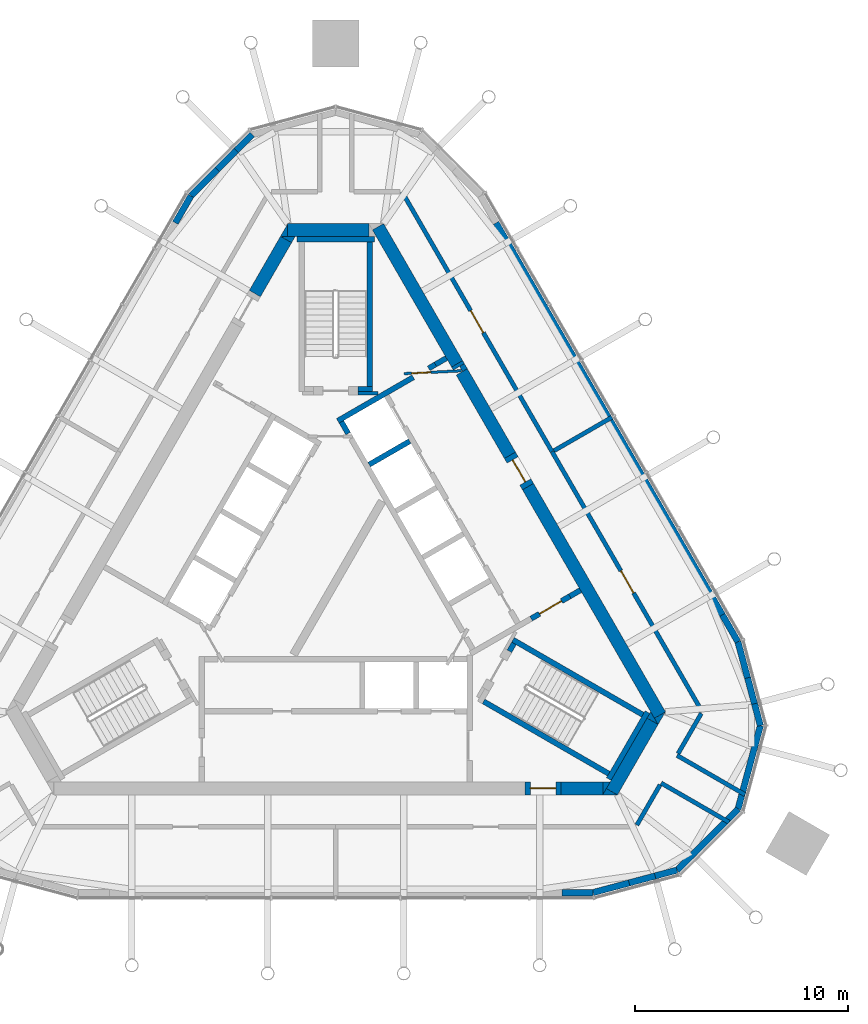
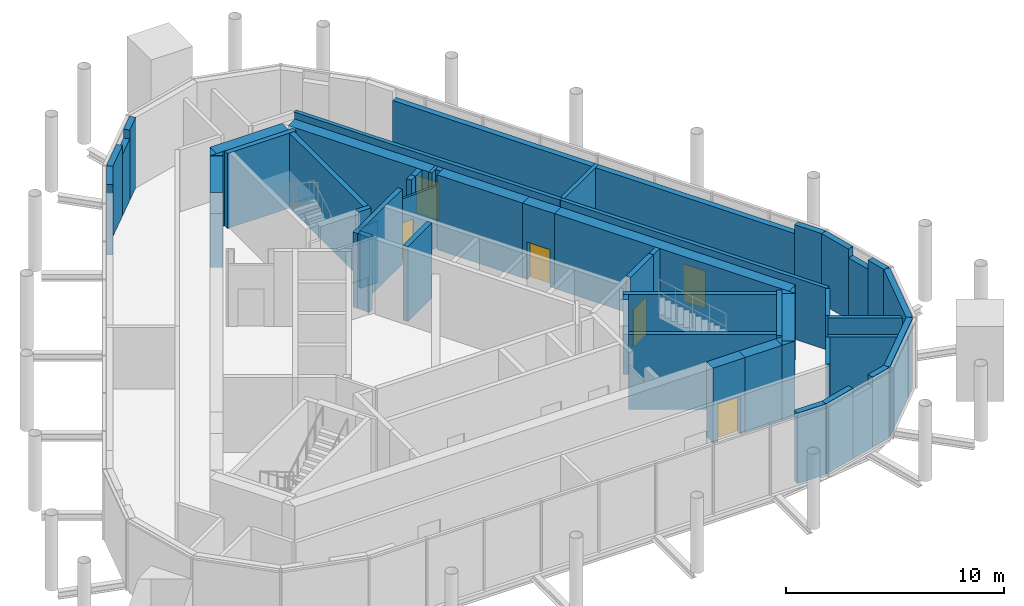
# One storey, part 9 of 11: 55 walls, 6 doors, 6 openings.
"""IFC4 building model written with IfcOpenShell, lengths in metres."""

from ifc_helpers import new_model, si_unit, direction, frame, frame_2d, origin, place, context, subcontext, project, spatial, polyline, rectangle, outline, extrude, material, layer, layer_set, type_object, element, fill, save


model = new_model("IFC4")

# Units and contexts
model_context = context("Model", 3, precision=1e-05, world=origin(), true_north=direction((0.0, 1.0)))
body_context = subcontext(model_context, "Body", "Model", "MODEL_VIEW")
ifc_project = project(units=[si_unit("LENGTHUNIT", "METRE"), si_unit("AREAUNIT", "SQUARE_METRE"), si_unit("VOLUMEUNIT", "CUBIC_METRE"), si_unit("PLANEANGLEUNIT", "RADIAN"), si_unit("MASSUNIT", "GRAM", prefix="KILO")], contexts=[model_context])

# Site, building, storey
site_placement = place(None, origin())
site = spatial("IfcSite", under=ifc_project, at=site_placement, CompositionType="ELEMENT")
building_placement = place(site_placement, origin())
building = spatial("IfcBuilding", under=site, at=building_placement, Name="Mestral Congress Tower", CompositionType="ELEMENT")
storey_placement = place(building_placement, frame((0.0, 0.0, 336.0)))
storey = spatial("IfcBuildingStorey", under=building, at=storey_placement, Name="L78", CompositionType="ELEMENT", Elevation=336.0)

# Wall
ifc_material_1 = material(Name="Fire-rated board partition")
ifc_layer_1 = layer(ifc_material_1, 0.14990234375)
ifc_layer_set_1 = layer_set([ifc_layer_1], Name="Fire-rated board partition")
wall_type_1 = type_object("IfcWallType", Name="Core partition 150", PredefinedType="PARTITIONING", material=ifc_layer_set_1)
wall_1_placement = place(storey_placement, frame((1.050048828125, 8.62548828125, 0.0), z_axis=(0.0, 0.0, 1.0), x_axis=(1.0, 0.0, 0.0)))
element("IfcWall", 1, at=wall_1_placement, inside=storey, type_object=wall_type_1, Name="L78 core wall", PredefinedType="PARTITIONING", context=body_context, shape_type="SweptSolid", body=[
    extrude(rectangle(XDim=0.9287109375, YDim=0.14990234375, at=frame_2d((0.46435546875, 0.0))), origin(), (0.0, 0.0, 1.0), 3.449951171875),
])

# Wall, opening, door
ifc_layer_2 = layer(ifc_material_1, 0.1201171875)
ifc_layer_set_2 = layer_set([ifc_layer_2], Name="Fire-rated board partition")
wall_type_2 = type_object("IfcWallType", Name="Core partition 150 door-wall 120", PredefinedType="PARTITIONING", material=ifc_layer_set_2)
wall_2_placement = place(storey_placement, frame((5.917236328125, 9.684326171875, 0.0), z_axis=(0.0, 0.0, 1.0), x_axis=(-0.998758194515, -0.049820366212, 0.0)))
wall_2 = element("IfcWall", 2, at=wall_2_placement, inside=storey, type_object=wall_type_2, Name="L78 door wall", PredefinedType="PARTITIONING", context=body_context, shape_type="SweptSolid", body=[
    extrude(rectangle(XDim=2.7001953125, YDim=0.119873046875, at=frame_2d((1.35009765625, 0.0))), origin(), (0.0, 0.0, 1.0), 3.449951171875),
])
opening_1_placement = place(wall_2_placement, frame((1.449951171875, 0.0, 0.0)))
opening_1 = element("IfcOpeningElement", 3, at=opening_1_placement, cuts=wall_2, Name="Opening TD2", PredefinedType="OPENING", context=body_context, shape_type="SweptSolid", body=[
    extrude(rectangle(XDim=0.89990234375, YDim=2.10009765625, at=frame_2d((0.449951171875, 1.050048828125))), frame((0.0, 0.06982421875, 0.0), z_axis=(0.0, -1.0, 0.0), x_axis=(1.0, 0.0, 0.0)), (0.0, 0.0, 1.0), 0.139892578125),
])
ifc_material_2 = material(Name="Fire-rated steel door set", Category="steel")
door_type_1 = type_object("IfcDoorType", Name="Core door SR 900x2100", OperationType="SINGLE_SWING_LEFT", PredefinedType="DOOR", material=ifc_material_2)
door_1_placement = place(opening_1_placement, origin())
door_1 = element("IfcDoor", 4, at=door_1_placement, inside=storey, type_object=door_type_1, Name="Door TD2", OperationType="SINGLE_SWING_LEFT", OverallHeight=2.10009765625, OverallWidth=0.89990234375, PredefinedType="DOOR", context=body_context, shape_type="SweptSolid", body=[
    extrude(rectangle(XDim=0.89990234375, YDim=2.10009765625, at=frame_2d((0.449951171875, 1.050048828125))), frame((0.0, 0.02490234375, 0.0), z_axis=(0.0, -1.0, 0.0), x_axis=(1.0, 0.0, 0.0)), (0.0, 0.0, 1.0), 0.050048828125),
])
fill(opening_1, door_1)

# Walls
ifc_material_3 = material(Name="Concrete C60/75", Category="concrete")
ifc_layer_3 = layer(ifc_material_3, 0.60009765625)
ifc_layer_set_3 = layer_set([ifc_layer_3], Name="Concrete C60/75")
wall_type_3 = type_object("IfcWallType", Name="Core wall RC 600", PredefinedType="SOLIDWALL", material=ifc_layer_set_3)
wall_3_placement = place(storey_placement, frame((9.0419921875, 4.23876953125, 0.0), z_axis=(0.0, 0.0, 1.0), x_axis=(0.500005785455, -0.866022063525, 0.0)))
element("IfcWall", 5, at=wall_3_placement, inside=storey, type_object=wall_type_3, Name="L78 core wall", PredefinedType="SOLIDWALL", context=body_context, shape_type="SweptSolid", body=[
    extrude(rectangle(XDim=12.406494140625, YDim=0.60009765625, at=frame_2d((6.203125, 0.0))), origin(), (0.0, 0.0, 1.0), 4.199951171875),
])
placement = place(storey_placement, origin())
element("IfcWall", 6, at=placement, inside=storey, type_object=wall_type_3, Name="L78 core wall", PredefinedType="SOLIDWALL", context=body_context, shape_type="SweptSolid", body=[
    extrude(outline(polyline([(15.155517578125, -6.949951171875), (14.986572265625, -6.6572265625), (15.493408203125, -6.364501953125), (15.155517578125, -6.949951171875)])), origin(), (0.0, 0.0, 1.0), 4.199951171875),
])
wall_5_placement = place(storey_placement, frame((12.9873046875, -10.105712890625, 0.0), z_axis=(0.0, 0.0, 1.0), x_axis=(0.499950938802, 0.866053727428, 0.0)))
element("IfcWall", 7, at=wall_5_placement, inside=storey, type_object=wall_type_3, Name="L78 core wall", PredefinedType="SOLIDWALL", context=body_context, shape_type="SweptSolid", body=[
    extrude(rectangle(XDim=3.8232421875, YDim=0.60009765625, at=frame_2d((1.91162109375, 0.0))), origin(), (0.0, 0.0, 1.0), 4.199951171875),
])
element("IfcWall", 8, at=placement, inside=storey, type_object=wall_type_3, Name="L78 core wall", PredefinedType="SOLIDWALL", context=body_context, shape_type="SweptSolid", body=[
    extrude(outline(polyline([(12.726318359375, -9.957275390625), (13.2333984375, -10.25), (12.557373046875, -10.25), (12.726318359375, -9.957275390625)])), origin(), (0.0, 0.0, 1.0), 4.199951171875),
])
element("IfcWall", 9, at=placement, inside=storey, type_object=wall_type_3, Name="L78 core wall", PredefinedType="SOLIDWALL", context=body_context, shape_type="SweptSolid", body=[
    extrude(outline(polyline([(14.80908203125, -6.35009765625), (15.147216796875, -6.935791015625), (14.639892578125, -6.642822265625), (14.80908203125, -6.35009765625)])), origin(), (0.0, 0.0, 1.0), 4.199951171875),
])
wall_8_placement = place(storey_placement, frame((10.6044921875, -9.949951171875, 0.0), z_axis=(0.0, 0.0, 1.0), x_axis=(1.0, 0.0, 0.0)))
element("IfcWall", 10, at=wall_8_placement, inside=storey, type_object=wall_type_3, Name="L78 core wall", PredefinedType="SOLIDWALL", context=body_context, shape_type="SweptSolid", body=[
    extrude(rectangle(XDim=1.959228515625, YDim=0.60009765625, at=frame_2d((0.9794921875, 0.0))), origin(), (0.0, 0.0, 1.0), 4.199951171875),
])
element("IfcWall", 11, at=placement, inside=storey, type_object=wall_type_3, Name="L78 core wall", PredefinedType="SOLIDWALL", context=body_context, shape_type="SweptSolid", body=[
    extrude(outline(polyline([(12.90380859375, -9.64990234375), (12.56591796875, -10.235595703125), (12.56591796875, -9.64990234375), (12.90380859375, -9.64990234375)])), origin(), (0.0, 0.0, 1.0), 4.199951171875),
])
wall_10_placement = place(storey_placement, frame((5.708740234375, 10.01220703125, 0.0), z_axis=(0.0, 0.0, 1.0), x_axis=(0.500399834964, -0.865794435861, 0.0)))
element("IfcWall", 12, at=wall_10_placement, inside=storey, type_object=wall_type_3, Name="L78 core wall", PredefinedType="SOLIDWALL", context=body_context, shape_type="SweptSolid", body=[
    extrude(rectangle(XDim=0.166259765625, YDim=0.60009765625, at=frame_2d((0.0830078125, 0.0))), origin(), (0.0, 0.0, 1.0), 4.199951171875),
])
wall_11_placement = place(storey_placement, frame((5.927978515625, 9.632568359375, 0.0), z_axis=(0.0, 0.0, 1.0), x_axis=(0.499983823482, -0.8660347431, 0.0)))
element("IfcWall", 13, at=wall_11_placement, inside=storey, type_object=wall_type_3, Name="L78 core wall", PredefinedType="SOLIDWALL", context=body_context, shape_type="SweptSolid", body=[
    extrude(rectangle(XDim=4.528076171875, YDim=0.60009765625, at=frame_2d((2.26416015625, 0.0))), origin(), (0.0, 0.0, 1.0), 4.199951171875),
])
element("IfcWall", 14, at=placement, inside=storey, type_object=wall_type_3, Name="L78 core wall", PredefinedType="SOLIDWALL", context=body_context, shape_type="SweptSolid", body=[
    extrude(outline(polyline([(6.052734375, 10.016357421875), (6.186767578125, 9.7841796875), (5.961181640625, 9.654052734375), (5.8271484375, 9.88623046875), (6.052734375, 10.016357421875)])), origin(), (0.0, 0.0, 1.0), 4.199951171875),
])
wall_13_placement = place(storey_placement, frame((1.98876953125, 16.45556640625, 0.0), z_axis=(0.0, 0.0, 1.0), x_axis=(0.499990476767, -0.866030901956, 0.0)))
element("IfcWall", 15, at=wall_13_placement, inside=storey, type_object=wall_type_3, Name="L78 core wall", PredefinedType="SOLIDWALL", context=body_context, shape_type="SweptSolid", body=[
    extrude(rectangle(XDim=7.438232421875, YDim=0.60009765625, at=frame_2d((3.71923828125, 0.0))), origin(), (0.0, 0.0, 1.0), 4.199951171875),
])
wall_14_placement = place(storey_placement, frame((-2.258056640625, 16.300048828125, 0.0), z_axis=(0.0, 0.0, 1.0), x_axis=(1.0, 0.0, 0.0)))
element("IfcWall", 16, at=wall_14_placement, inside=storey, type_object=wall_type_3, Name="L78 core wall", PredefinedType="SOLIDWALL", context=body_context, shape_type="SweptSolid", body=[
    extrude(rectangle(XDim=3.8232421875, YDim=0.60009765625, at=frame_2d((1.91162109375, 0.0))), origin(), (0.0, 0.0, 1.0), 4.199951171875),
])
element("IfcWall", 17, at=placement, inside=storey, type_object=wall_type_3, Name="L78 core wall", PredefinedType="SOLIDWALL", context=body_context, shape_type="SweptSolid", body=[
    extrude(outline(polyline([(-2.59814453125, 16.0), (-2.260009765625, 16.58544921875), (-2.260009765625, 16.0), (-2.59814453125, 16.0)])), origin(), (0.0, 0.0, 1.0), 4.199951171875),
])
wall_16_placement = place(storey_placement, frame((-2.335205078125, 15.85546875, 0.0), z_axis=(0.0, 0.0, 1.0), x_axis=(-0.499960127962, -0.866048422692, 0.0)))
element("IfcWall", 18, at=wall_16_placement, inside=storey, type_object=wall_type_3, Name="L78 core wall", PredefinedType="SOLIDWALL", context=body_context, shape_type="SweptSolid", body=[
    extrude(rectangle(XDim=2.934326171875, YDim=0.60009765625, at=frame_2d((1.46728515625, 0.0))), origin(), (0.0, 0.0, 1.0), 4.199951171875),
])
element("IfcWall", 19, at=placement, inside=storey, type_object=wall_type_3, Name="L78 core wall", PredefinedType="SOLIDWALL", context=body_context, shape_type="SweptSolid", body=[
    extrude(outline(polyline([(-1.9052734375, 16.0), (-2.07421875, 15.707275390625), (-2.581298828125, 16.0), (-1.9052734375, 16.0)])), origin(), (0.0, 0.0, 1.0), 4.199951171875),
])

# Wall, opening, door
wall_18_placement = place(storey_placement, frame((10.6044921875, -9.949951171875, 0.0), z_axis=(0.0, 0.0, 1.0), x_axis=(-1.0, 0.0, 0.0)))
wall_18 = element("IfcWall", 20, at=wall_18_placement, inside=storey, type_object=wall_type_3, Name="L78 door wall", PredefinedType="SOLIDWALL", context=body_context, shape_type="SweptSolid", body=[
    extrude(rectangle(XDim=1.699951171875, YDim=0.60009765625, at=frame_2d((0.85009765625, 0.0))), origin(), (0.0, 0.0, 1.0), 4.199951171875),
])
opening_2_placement = place(wall_18_placement, frame((0.25, 0.0, 0.0)))
opening_2 = element("IfcOpeningElement", 21, at=opening_2_placement, cuts=wall_18, Name="Opening XD1", PredefinedType="OPENING", context=body_context, shape_type="SweptSolid", body=[
    extrude(rectangle(XDim=1.199951171875, YDim=2.10009765625, at=frame_2d((0.60009765625, 1.050048828125))), frame((0.0, 0.31005859375, 0.0), z_axis=(0.0, -1.0, 0.0), x_axis=(1.0, 0.0, 0.0)), (0.0, 0.0, 1.0), 0.6201171875),
])
door_type_2 = type_object("IfcDoorType", Name="Core door XD 1200x2100", OperationType="SINGLE_SWING_LEFT", PredefinedType="DOOR", material=ifc_material_2)
door_2_placement = place(opening_2_placement, origin())
door_2 = element("IfcDoor", 22, at=door_2_placement, inside=storey, type_object=door_type_2, Name="Door XD1", OperationType="SINGLE_SWING_LEFT", OverallHeight=2.10009765625, OverallWidth=1.199951171875, PredefinedType="DOOR", context=body_context, shape_type="SweptSolid", body=[
    extrude(rectangle(XDim=1.199951171875, YDim=2.10009765625, at=frame_2d((0.60009765625, 1.050048828125))), frame((0.0, 0.02490234375, 0.0), z_axis=(0.0, -1.0, 0.0), x_axis=(1.0, 0.0, 0.0)), (0.0, 0.0, 1.0), 0.050048828125),
])
fill(opening_2, door_2)

wall_19_placement = place(storey_placement, frame((8.19189453125, 5.711181640625, 0.0), z_axis=(0.0, 0.0, 1.0), x_axis=(0.500062241894, -0.865989465428, 0.0)))
wall_19 = element("IfcWall", 23, at=wall_19_placement, inside=storey, type_object=wall_type_3, Name="L78 door wall", PredefinedType="SOLIDWALL", context=body_context, shape_type="SweptSolid", body=[
    extrude(rectangle(XDim=1.699951171875, YDim=0.60009765625, at=frame_2d((0.85009765625, 0.0))), origin(), (0.0, 0.0, 1.0), 4.199951171875),
])
opening_3_placement = place(wall_19_placement, frame((0.25, 0.0, 0.0)))
opening_3 = element("IfcOpeningElement", 24, at=opening_3_placement, cuts=wall_19, Name="Opening XDL", PredefinedType="OPENING", context=body_context, shape_type="SweptSolid", body=[
    extrude(rectangle(XDim=1.199951171875, YDim=2.10009765625, at=frame_2d((0.60009765625, 1.050048828125))), frame((0.0, 0.31005859375, 0.0), z_axis=(0.0, -1.0, 0.0), x_axis=(1.0, 0.0, 0.0)), (0.0, 0.0, 1.0), 0.6201171875),
])
door_3_placement = place(opening_3_placement, origin())
door_3 = element("IfcDoor", 25, at=door_3_placement, inside=storey, type_object=door_type_2, Name="Door XDL", OperationType="SINGLE_SWING_LEFT", OverallHeight=2.10009765625, OverallWidth=1.199951171875, PredefinedType="DOOR", context=body_context, shape_type="SweptSolid", body=[
    extrude(rectangle(XDim=1.199951171875, YDim=2.10009765625, at=frame_2d((0.60009765625, 1.050048828125))), frame((0.0, 0.02490234375, 0.0), z_axis=(0.0, -1.0, 0.0), x_axis=(1.0, 0.0, 0.0)), (0.0, 0.0, 1.0), 0.050048828125),
])
fill(opening_3, door_3)

# Walls
ifc_material_4 = material(Name="Precast concrete C40/50 with limestone facing", Category="masonry")
ifc_layer_4 = layer(ifc_material_4, 0.300048828125)
ifc_layer_set_4 = layer_set([ifc_layer_4], Name="Precast concrete C40/50 with limestone facing")
wall_type_4 = type_object("IfcWallType", Name="Crown plant block wall 300", PredefinedType="SOLIDWALL", material=ifc_layer_set_4)
wall_20_placement = place(storey_placement, frame((12.104736328125, -14.85009765625, 0.0), z_axis=(0.0, 0.0, 1.0), x_axis=(0.965915089044, 0.258859113723, 0.0)))
element("IfcWall", 26, at=wall_20_placement, inside=storey, type_object=wall_type_4, Name="Plant block wall 1", PredefinedType="SOLIDWALL", context=body_context, shape_type="SweptSolid", body=[
    extrude(rectangle(XDim=1.75244140625, YDim=0.300048828125, at=frame_2d((0.876220703125, 0.0))), origin(), (0.0, 0.0, 1.0), 3.949951171875),
])
wall_21_placement = place(storey_placement, frame((15.018310546875, -14.0693359375, 0.0), z_axis=(0.0, 0.0, 1.0), x_axis=(0.965918371587, 0.258846864828, 0.0)))
element("IfcWall", 27, at=wall_21_placement, inside=storey, type_object=wall_type_4, Name="Plant block wall 1", PredefinedType="SOLIDWALL", context=body_context, shape_type="SweptSolid", body=[
    extrude(rectangle(XDim=1.06494140625, YDim=0.300048828125, at=frame_2d((0.532470703125, 0.0))), origin(), (0.0, 0.0, 1.0), 3.949951171875),
])
for number, where, z_axis, x_axis, name in (
    (28, (16.046875, -13.793701171875, 0.0), (0.0, 0.0, 1.0), (0.707106781187, 0.707106781187, 0.0), "Plant block wall 2"),
    (29, (18.918212890625, -10.92236328125, 0.0), (0.0, 0.0, 1.0), (0.258770144726, 0.965938927779, 0.0), "Plant block wall 3"),
):
    element("IfcWall", number, at=place(storey_placement, frame(where, z_axis=z_axis, x_axis=x_axis)), inside=storey, type_object=wall_type_4, Name=name, PredefinedType="SOLIDWALL", context=body_context, shape_type="SweptSolid", body=[
        extrude(rectangle(XDim=4.060791015625, YDim=0.300048828125, at=frame_2d((2.0302734375, 0.0))), origin(), (0.0, 0.0, 1.0), 3.949951171875),
    ])
wall_22_placement = place(storey_placement, frame((19.968994140625, -7.0, 0.0), z_axis=(0.0, 0.0, 1.0), x_axis=(-0.258690231517, 0.96596033258, 0.0)))
element("IfcWall", 30, at=wall_22_placement, inside=storey, type_object=wall_type_4, Name="Plant block wall 4", PredefinedType="SOLIDWALL", context=body_context, shape_type="SweptSolid", body=[
    extrude(rectangle(XDim=1.064453125, YDim=0.300048828125, at=frame_2d((0.5322265625, 0.0))), origin(), (0.0, 0.0, 1.0), 3.949951171875),
])
wall_23_placement = place(storey_placement, frame((19.366455078125, -4.750732421875, 0.0), z_axis=(0.0, 0.0, 1.0), x_axis=(-0.258824282894, 0.965924422812, 0.0)))
element("IfcWall", 31, at=wall_23_placement, inside=storey, type_object=wall_type_4, Name="Plant block wall 4", PredefinedType="SOLIDWALL", context=body_context, shape_type="SweptSolid", body=[
    extrude(rectangle(XDim=1.752685546875, YDim=0.300048828125, at=frame_2d((0.87646484375, 0.0))), origin(), (0.0, 0.0, 1.0), 3.949951171875),
])
wall_24_placement = place(storey_placement, frame((18.912841796875, -3.057861328125, 0.0), z_axis=(0.0, 0.0, 1.0), x_axis=(-0.500049712553, 0.865996700326, 0.0)))
element("IfcWall", 32, at=wall_24_placement, inside=storey, type_object=wall_type_4, Name="Plant block wall 5", PredefinedType="SOLIDWALL", context=body_context, shape_type="SweptSolid", body=[
    extrude(rectangle(XDim=1.463623046875, YDim=0.300048828125, at=frame_2d((0.73193359375, 0.0))), origin(), (0.0, 0.0, 1.0), 3.949951171875),
])
wall_25_placement = place(storey_placement, frame((-3.92236328125, 20.793701171875, 0.0), z_axis=(0.0, 0.0, 1.0), x_axis=(-0.707106781187, -0.707106781187, 0.0)))
element("IfcWall", 33, at=wall_25_placement, inside=storey, type_object=wall_type_4, Name="Plant block wall 9", PredefinedType="SOLIDWALL", context=body_context, shape_type="SweptSolid", body=[
    extrude(rectangle(XDim=1.064697265625, YDim=0.300048828125, at=frame_2d((0.5322265625, 0.0))), origin(), (0.0, 0.0, 1.0), 3.949951171875),
])
wall_26_placement = place(storey_placement, frame((-5.5693359375, 19.146728515625, 0.0), z_axis=(0.0, 0.0, 1.0), x_axis=(-0.707106781187, -0.707106781187, 0.0)))
element("IfcWall", 34, at=wall_26_placement, inside=storey, type_object=wall_type_4, Name="Plant block wall 9", PredefinedType="SOLIDWALL", context=body_context, shape_type="SweptSolid", body=[
    extrude(rectangle(XDim=1.751953125, YDim=0.300048828125, at=frame_2d((0.8759765625, 0.0))), origin(), (0.0, 0.0, 1.0), 3.949951171875),
])
for number, where, z_axis, x_axis, name in (
    (35, (-6.80810546875, 17.907958984375, 0.0), (0.0, 0.0, 1.0), (-0.499977492351, -0.866038398192, 0.0), "Plant block wall 10"),
    (36, (10.640869140625, -14.85009765625, 0.0), (0.0, 0.0, 1.0), (1.0, 0.0, 0.0), "Plant block wall 15"),
):
    element("IfcWall", number, at=place(storey_placement, frame(where, z_axis=z_axis, x_axis=x_axis)), inside=storey, type_object=wall_type_4, Name=name, PredefinedType="SOLIDWALL", context=body_context, shape_type="SweptSolid", body=[
        extrude(rectangle(XDim=1.4638671875, YDim=0.300048828125, at=frame_2d((0.73193359375, 0.0))), origin(), (0.0, 0.0, 1.0), 3.949951171875),
    ])
ifc_layer_5 = layer(ifc_material_4, 0.300048828125)
ifc_layer_set_5 = layer_set([ifc_layer_5], Name="Precast concrete C40/50 with limestone facing")
wall_type_5 = type_object("IfcWallType", Name="Crown plant block wall 300 under girder", PredefinedType="SOLIDWALL", material=ifc_layer_set_5)
for number, where, z_axis, x_axis, name in (
    (37, (13.79736328125, -14.396484375, 0.0), (0.0, 0.0, 1.0), (0.965926498018, 0.258816538161, 0.0), "Plant block wall 1"),
    (38, (19.693603515625, -5.9716796875, 0.0), (0.0, 0.0, 1.0), (-0.258816538161, 0.965926498018, 0.0), "Plant block wall 4"),
):
    element("IfcWall", number, at=place(storey_placement, frame(where, z_axis=z_axis, x_axis=x_axis)), inside=storey, type_object=wall_type_5, Name=name, PredefinedType="SOLIDWALL", context=body_context, shape_type="SweptSolid", body=[
        extrude(rectangle(XDim=1.263916015625, YDim=0.300048828125, at=frame_2d((0.6318359375, 0.0))), origin(), (0.0, 0.0, 1.0), 3.449951171875),
    ])
wall_27_placement = place(storey_placement, frame((18.180908203125, -1.790283203125, 0.0), z_axis=(0.0, 0.0, 1.0), x_axis=(-0.500002158106, 0.866024157798, 0.0)))
element("IfcWall", 39, at=wall_27_placement, inside=storey, type_object=wall_type_5, Name="Plant block wall 5", PredefinedType="SOLIDWALL", context=body_context, shape_type="SweptSolid", body=[
    extrude(rectangle(XDim=21.28173828125, YDim=0.300048828125, at=frame_2d((10.640869140625, 0.0))), origin(), (0.0, 0.0, 1.0), 3.449951171875),
])
wall_28_placement = place(storey_placement, frame((-4.67529296875, 20.040771484375, 0.0), z_axis=(0.0, 0.0, 1.0), x_axis=(-0.707106781187, -0.707106781187, 0.0)))
element("IfcWall", 40, at=wall_28_placement, inside=storey, type_object=wall_type_5, Name="Plant block wall 9", PredefinedType="SOLIDWALL", context=body_context, shape_type="SweptSolid", body=[
    extrude(rectangle(XDim=1.264404296875, YDim=0.300048828125, at=frame_2d((0.63232421875, 0.0))), origin(), (0.0, 0.0, 1.0), 3.449951171875),
])
ifc_layer_6 = layer(ifc_material_3, 0.25)
ifc_layer_set_6 = layer_set([ifc_layer_6], Name="Concrete C60/75")
wall_type_6 = type_object("IfcWallType", Name="Shaft wall RC 250", PredefinedType="SOLIDWALL", material=ifc_layer_set_6)
wall_29_placement = place(storey_placement, frame((11.507080078125, -0.631103515625, 0.0), z_axis=(0.0, 0.0, 1.0), x_axis=(-0.866093731455, -0.499881634324, 0.0)))
element("IfcWall", 41, at=wall_29_placement, inside=storey, type_object=wall_type_6, Name="L78 core wall", PredefinedType="SOLIDWALL", context=body_context, shape_type="SweptSolid", body=[
    extrude(rectangle(XDim=0.575439453125, YDim=0.25, at=frame_2d((0.28759765625, 0.0))), origin(), (0.0, 0.0, 1.0), 4.199951171875),
])
wall_30_placement = place(storey_placement, frame((3.647216796875, 9.38037109375, 0.0), z_axis=(0.0, 0.0, 1.0), x_axis=(-0.866027868628, -0.499995730742, 0.0)))
element("IfcWall", 42, at=wall_30_placement, inside=storey, type_object=wall_type_6, Name="L78 core wall", PredefinedType="SOLIDWALL", context=body_context, shape_type="SweptSolid", body=[
    extrude(rectangle(XDim=4.0986328125, YDim=0.25, at=frame_2d((2.04931640625, 0.0))), origin(), (0.0, 0.0, 1.0), 4.199951171875),
])
wall_31_placement = place(storey_placement, frame((0.268310546875, 7.28515625, 0.0), z_axis=(0.0, 0.0, 1.0), x_axis=(0.500098681536, -0.865968422476, 0.0)))
element("IfcWall", 43, at=wall_31_placement, inside=storey, type_object=wall_type_6, Name="L78 core wall", PredefinedType="SOLIDWALL", context=body_context, shape_type="SweptSolid", body=[
    extrude(rectangle(XDim=0.636474609375, YDim=0.25, at=frame_2d((0.318359375, 0.0))), origin(), (0.0, 0.0, 1.0), 4.199951171875),
])
wall_32_placement = place(storey_placement, frame((1.57421875, 5.273681640625, 0.0), z_axis=(0.0, 0.0, 1.0), x_axis=(0.866028486751, 0.499994660107, 0.0)))
element("IfcWall", 44, at=wall_32_placement, inside=storey, type_object=wall_type_6, Name="L78 core wall", PredefinedType="SOLIDWALL", context=body_context, shape_type="SweptSolid", body=[
    extrude(rectangle(XDim=2.19970703125, YDim=0.25, at=frame_2d((1.099853515625, 0.0))), origin(), (0.0, 0.0, 1.0), 4.199951171875),
])
wall_33_placement = place(storey_placement, frame((4.6875, 9.98095703125, 0.0), z_axis=(0.0, 0.0, 1.0), x_axis=(-0.865974312977, -0.500088481434, 0.0)))
element("IfcWall", 45, at=wall_33_placement, inside=storey, type_object=wall_type_6, Name="L78 core wall", PredefinedType="SOLIDWALL", context=body_context, shape_type="SweptSolid", body=[
    extrude(rectangle(XDim=0.36572265625, YDim=0.25, at=frame_2d((0.182861328125, 0.0))), origin(), (0.0, 0.0, 1.0), 4.199951171875),
])
wall_34_placement = place(storey_placement, frame((4.689208984375, 9.98193359375, 0.0), z_axis=(0.0, 0.0, 1.0), x_axis=(0.865947592822, 0.500134748329, 0.0)))
element("IfcWall", 46, at=wall_34_placement, inside=storey, type_object=wall_type_6, Name="L78 core wall", PredefinedType="SOLIDWALL", context=body_context, shape_type="SweptSolid", body=[
    extrude(rectangle(XDim=0.597900390625, YDim=0.25, at=frame_2d((0.298828125, 0.0))), origin(), (0.0, 0.0, 1.0), 4.199951171875),
])

# Wall, opening, door
wall_35_placement = place(storey_placement, frame((11.0087890625, -0.918701171875, 0.0), z_axis=(0.0, 0.0, 1.0), x_axis=(-0.866059744384, -0.49994051562, 0.0)))
wall_35 = element("IfcWall", 47, at=wall_35_placement, inside=storey, type_object=wall_type_6, Name="L78 door wall", PredefinedType="SOLIDWALL", context=body_context, shape_type="SweptSolid", body=[
    extrude(rectangle(XDim=2.099853515625, YDim=0.25, at=frame_2d((1.0498046875, 0.0))), origin(), (0.0, 0.0, 1.0), 4.199951171875),
])
opening_4_placement = place(wall_35_placement, frame((0.449951171875, 0.0, 0.0)))
opening_4 = element("IfcOpeningElement", 48, at=opening_4_placement, cuts=wall_35, Name="Opening LB1-PX10", PredefinedType="OPENING", context=body_context, shape_type="SweptSolid", body=[
    extrude(rectangle(XDim=1.199951171875, YDim=2.10009765625, at=frame_2d((0.60009765625, 1.050048828125))), frame((0.0, 0.135009765625, 0.0), z_axis=(0.0, -1.0, 0.0), x_axis=(1.0, 0.0, 0.0)), (0.0, 0.0, 1.0), 0.27001953125),
])
door_type_3 = type_object("IfcDoorType", Name="Core door LB 1200x2100", OperationType="SINGLE_SWING_LEFT", PredefinedType="DOOR", material=ifc_material_2)
door_4_placement = place(opening_4_placement, origin())
door_4 = element("IfcDoor", 49, at=door_4_placement, inside=storey, type_object=door_type_3, Name="Door LB1-PX10", OperationType="SINGLE_SWING_LEFT", OverallHeight=2.10009765625, OverallWidth=1.199951171875, PredefinedType="DOOR", context=body_context, shape_type="SweptSolid", body=[
    extrude(rectangle(XDim=1.199951171875, YDim=2.10009765625, at=frame_2d((0.60009765625, 1.050048828125))), frame((0.0, 0.02490234375, 0.0), z_axis=(0.0, -1.0, 0.0), x_axis=(1.0, 0.0, 0.0)), (0.0, 0.0, 1.0), 0.050048828125),
])
fill(opening_4, door_4)

ifc_material_5 = material(Name="Concrete block wall, plastered", Category="concrete")
ifc_layer_7 = layer(ifc_material_5, 0.199951171875)
ifc_layer_set_7 = layer_set([ifc_layer_7], Name="Concrete block wall, plastered")
wall_type_7 = type_object("IfcWallType", Name="Special partition 200 EI 120", PredefinedType="PARTITIONING", material=ifc_layer_set_7)
wall_36_placement = place(storey_placement, frame((17.23388671875, -6.35009765625, 0.0), z_axis=(0.0, 0.0, 1.0), x_axis=(-0.499989432091, 0.866031505083, 0.0)))
wall_36 = element("IfcWall", 50, at=wall_36_placement, inside=storey, type_object=wall_type_7, Name="Partition", PredefinedType="PARTITIONING", context=body_context, shape_type="SweptSolid", body=[
    extrude(rectangle(XDim=14.116455078125, YDim=0.199951171875, at=frame_2d((7.05810546875, 0.0))), origin(), (0.0, 0.0, 1.0), 3.449951171875),
])
opening_5_placement = place(wall_36_placement, frame((6.458251953125, 0.0, 0.0)))
opening_5 = element("IfcOpeningElement", 51, at=opening_5_placement, cuts=wall_36, Name="Opening K78-004", PredefinedType="OPENING", context=body_context, shape_type="SweptSolid", body=[
    extrude(rectangle(XDim=1.199951171875, YDim=2.10009765625, at=frame_2d((0.60009765625, 1.050048828125))), frame((0.0, 0.10986328125, 0.0), z_axis=(0.0, -1.0, 0.0), x_axis=(1.0, 0.0, 0.0)), (0.0, 0.0, 1.0), 0.219970703125),
])
door_type_4 = type_object("IfcDoorType", Name="Plant room door 1200x2100", OperationType="SINGLE_SWING_LEFT", PredefinedType="DOOR", material=ifc_material_2)
door_5_placement = place(opening_5_placement, origin())
door_5 = element("IfcDoor", 52, at=door_5_placement, inside=storey, type_object=door_type_4, Name="Door K78-004", OperationType="SINGLE_SWING_RIGHT", OverallHeight=2.10009765625, OverallWidth=1.199951171875, PredefinedType="DOOR", context=body_context, shape_type="SweptSolid", body=[
    extrude(rectangle(XDim=1.199951171875, YDim=2.10009765625, at=frame_2d((0.60009765625, 1.050048828125))), frame((0.0, 0.02490234375, 0.0), z_axis=(0.0, -1.0, 0.0), x_axis=(1.0, 0.0, 0.0)), (0.0, 0.0, 1.0), 0.050048828125),
])
fill(opening_5, door_5)

wall_37_placement = place(storey_placement, frame((10.1708984375, 5.883544921875, 0.0), z_axis=(0.0, 0.0, 1.0), x_axis=(-0.499999609035, 0.866025629508, 0.0)))
wall_37 = element("IfcWall", 53, at=wall_37_placement, inside=storey, type_object=wall_type_7, Name="Partition", PredefinedType="PARTITIONING", context=body_context, shape_type="SweptSolid", body=[
    extrude(rectangle(XDim=14.1064453125, YDim=0.199951171875, at=frame_2d((7.05322265625, 0.0))), origin(), (0.0, 0.0, 1.0), 3.449951171875),
])
opening_6_placement = place(wall_37_placement, frame((6.453125, 0.0, 0.0)))
opening_6 = element("IfcOpeningElement", 54, at=opening_6_placement, cuts=wall_37, Name="Opening K78-005", PredefinedType="OPENING", context=body_context, shape_type="SweptSolid", body=[
    extrude(rectangle(XDim=1.199951171875, YDim=2.10009765625, at=frame_2d((0.60009765625, 1.050048828125))), frame((0.0, 0.10986328125, 0.0), z_axis=(0.0, -1.0, 0.0), x_axis=(1.0, 0.0, 0.0)), (0.0, 0.0, 1.0), 0.219970703125),
])
door_6_placement = place(opening_6_placement, origin())
door_6 = element("IfcDoor", 55, at=door_6_placement, inside=storey, type_object=door_type_4, Name="Door K78-005", OperationType="SINGLE_SWING_RIGHT", OverallHeight=2.10009765625, OverallWidth=1.199951171875, PredefinedType="DOOR", context=body_context, shape_type="SweptSolid", body=[
    extrude(rectangle(XDim=1.199951171875, YDim=2.10009765625, at=frame_2d((0.60009765625, 1.050048828125))), frame((0.0, 0.02490234375, 0.0), z_axis=(0.0, -1.0, 0.0), x_axis=(1.0, 0.0, 0.0)), (0.0, 0.0, 1.0), 0.050048828125),
])
fill(opening_6, door_6)

# Walls
for number, where, z_axis, x_axis, name in (
    (56, (16.050048828125, -8.400390625, 0.0), (0.0, 0.0, 1.0), (0.866026863259, -0.499997472108, 0.0), "Partition"),
    (57, (18.494384765625, -11.543701171875, 0.0), (0.0, 0.0, 1.0), (-0.866026863259, 0.499997472108, 0.0), "Partition"),
):
    element("IfcWall", number, at=place(storey_placement, frame(where, z_axis=z_axis, x_axis=x_axis)), inside=storey, type_object=wall_type_7, Name=name, PredefinedType="PARTITIONING", context=body_context, shape_type="SweptSolid", body=[
        extrude(rectangle(XDim=3.6884765625, YDim=0.199951171875, at=frame_2d((1.84423828125, 0.0))), origin(), (0.0, 0.0, 1.0), 3.449951171875),
    ])
wall_38_placement = place(storey_placement, frame((10.262451171875, 5.925048828125, 0.0), z_axis=(0.0, 0.0, 1.0), x_axis=(0.866035871367, 0.499981869177, 0.0)))
element("IfcWall", 58, at=wall_38_placement, inside=storey, type_object=wall_type_7, Name="Partition", PredefinedType="PARTITIONING", context=body_context, shape_type="SweptSolid", body=[
    extrude(rectangle(XDim=3.14990234375, YDim=0.199951171875, at=frame_2d((1.574951171875, 0.0))), origin(), (0.0, 0.0, 1.0), 3.449951171875),
])
for number, where, z_axis, x_axis, name in (
    (59, (15.25, -9.7861328125, 0.0), (0.0, 0.0, 1.0), (-0.499997407846, -0.86602690036, 0.0), "Partition"),
    (60, (17.18896484375, -6.427978515625, 0.0), (0.0, 0.0, 1.0), (-0.499997407846, -0.86602690036, 0.0), "Partition"),
):
    element("IfcWall", number, at=place(storey_placement, frame(where, z_axis=z_axis, x_axis=x_axis)), inside=storey, type_object=wall_type_7, Name=name, PredefinedType="PARTITIONING", context=body_context, shape_type="SweptSolid", body=[
        extrude(rectangle(XDim=2.177734375, YDim=0.199951171875, at=frame_2d((1.0888671875, 0.0))), origin(), (0.0, 0.0, 1.0), 3.449951171875),
    ])
ifc_layer_8 = layer(ifc_material_3, 0.25)
ifc_layer_set_8 = layer_set([ifc_layer_8], Name="Concrete C60/75")
wall_type_8 = type_object("IfcWallType", Name="Stair wall RC 250", PredefinedType="SOLIDWALL", material=ifc_layer_set_8)
wall_39_placement = place(storey_placement, frame((12.839599609375, -9.510986328125, 0.0), z_axis=(0.0, 0.0, 1.0), x_axis=(0.500048121057, 0.865997619297, 0.0)))
element("IfcWall", 61, at=wall_39_placement, inside=storey, type_object=wall_type_8, Name="L78 core wall", PredefinedType="SOLIDWALL", context=body_context, shape_type="SweptSolid", body=[
    extrude(rectangle(XDim=3.634033203125, YDim=0.25, at=frame_2d((1.81689453125, 0.0))), origin(), (0.0, 0.0, 1.0), 4.199951171875),
])
wall_40_placement = place(storey_placement, frame((12.83984375, -9.2607421875, 0.0), z_axis=(0.0, 0.0, 1.0), x_axis=(-0.866013990052, 0.500019768644, 0.0)))
element("IfcWall", 62, at=wall_40_placement, inside=storey, type_object=wall_type_8, Name="L78 core wall", PredefinedType="SOLIDWALL", context=body_context, shape_type="SweptSolid", body=[
    extrude(rectangle(XDim=6.800048828125, YDim=0.25, at=frame_2d((3.39990234375, 0.0))), origin(), (0.0, 0.0, 1.0), 4.199951171875),
])
wall_41_placement = place(storey_placement, frame((8.33447265625, -2.96435546875, 0.0), z_axis=(0.0, 0.0, 1.0), x_axis=(0.866016039709, -0.500016218704, 0.0)))
element("IfcWall", 63, at=wall_41_placement, inside=storey, type_object=wall_type_8, Name="L78 core wall", PredefinedType="SOLIDWALL", context=body_context, shape_type="SweptSolid", body=[
    extrude(rectangle(XDim=7.050048828125, YDim=0.25, at=frame_2d((3.52490234375, 0.0))), origin(), (0.0, 0.0, 1.0), 4.199951171875),
])
wall_42_placement = place(storey_placement, frame((8.167724609375, -3.503173828125, 0.0), z_axis=(0.0, 0.0, 1.0), x_axis=(0.49972245349, 0.866185586049, 0.0)))
element("IfcWall", 64, at=wall_42_placement, inside=storey, type_object=wall_type_8, Name="L78 core wall", PredefinedType="SOLIDWALL", context=body_context, shape_type="SweptSolid", body=[
    extrude(rectangle(XDim=0.425048828125, YDim=0.25, at=frame_2d((0.21240234375, 0.0))), origin(), (0.0, 0.0, 1.0), 4.199951171875),
])
wall_43_placement = place(storey_placement, frame((-1.81689453125, 15.875, 0.0), z_axis=(0.0, 0.0, 1.0), x_axis=(1.0, 0.0, 0.0)))
element("IfcWall", 65, at=wall_43_placement, inside=storey, type_object=wall_type_8, Name="L78 core wall", PredefinedType="SOLIDWALL", context=body_context, shape_type="SweptSolid", body=[
    extrude(rectangle(XDim=3.6337890625, YDim=0.25, at=frame_2d((1.81689453125, 0.0))), origin(), (0.0, 0.0, 1.0), 4.199951171875),
])
wall_44_placement = place(storey_placement, frame((1.60009765625, 8.949951171875, 0.0), z_axis=(0.0, 0.0, 1.0), x_axis=(0.0, 1.0, 0.0)))
element("IfcWall", 66, at=wall_44_placement, inside=storey, type_object=wall_type_8, Name="L78 core wall", PredefinedType="SOLIDWALL", context=body_context, shape_type="SweptSolid", body=[
    extrude(rectangle(XDim=6.800048828125, YDim=0.25, at=frame_2d((3.39990234375, 0.0))), origin(), (0.0, 0.0, 1.0), 4.199951171875),
])
wall_45_placement = place(storey_placement, frame((1.050048828125, 8.824951171875, 0.0), z_axis=(0.0, 0.0, 1.0), x_axis=(1.0, 0.0, 0.0)))
element("IfcWall", 67, at=wall_45_placement, inside=storey, type_object=wall_type_8, Name="L78 core wall", PredefinedType="SOLIDWALL", context=body_context, shape_type="SweptSolid", body=[
    extrude(rectangle(XDim=0.675048828125, YDim=0.25, at=frame_2d((0.33740234375, 0.0))), origin(), (0.0, 0.0, 1.0), 4.199951171875),
])

save(model, "model.ifc")
